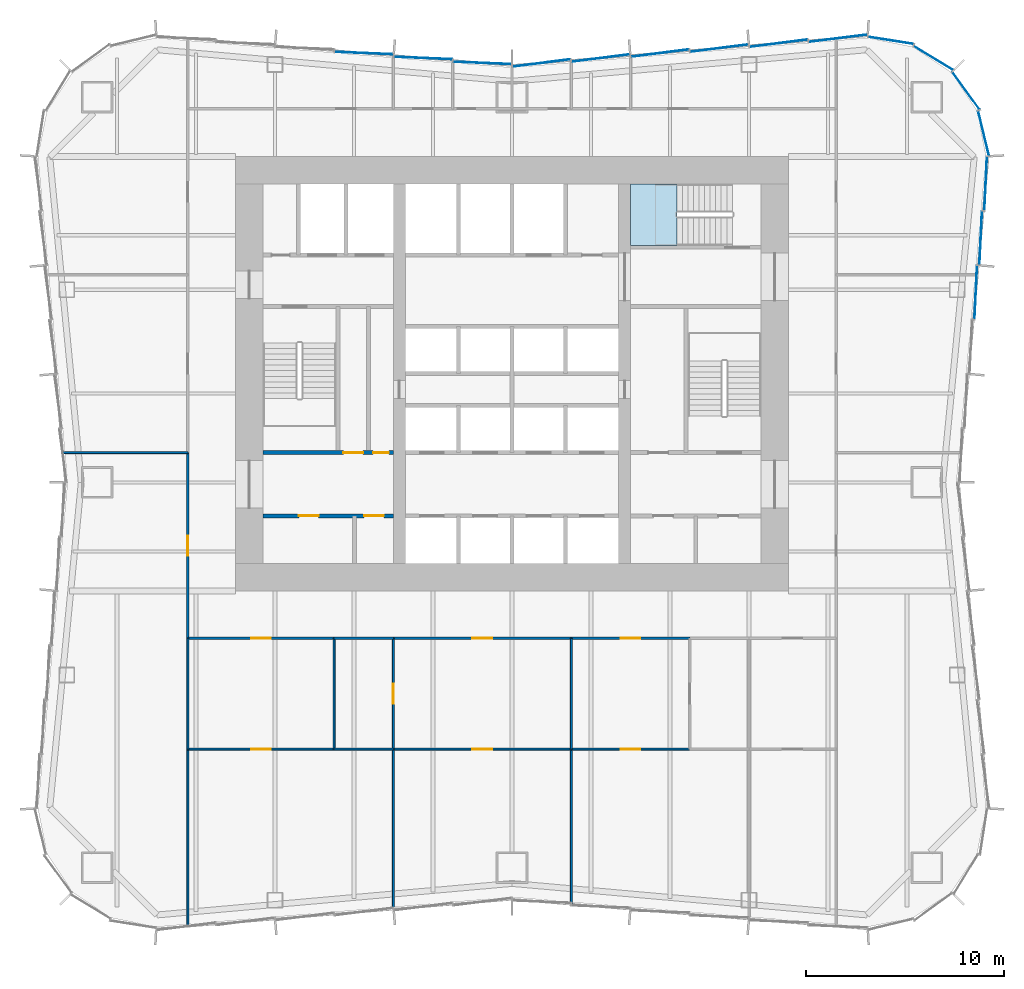
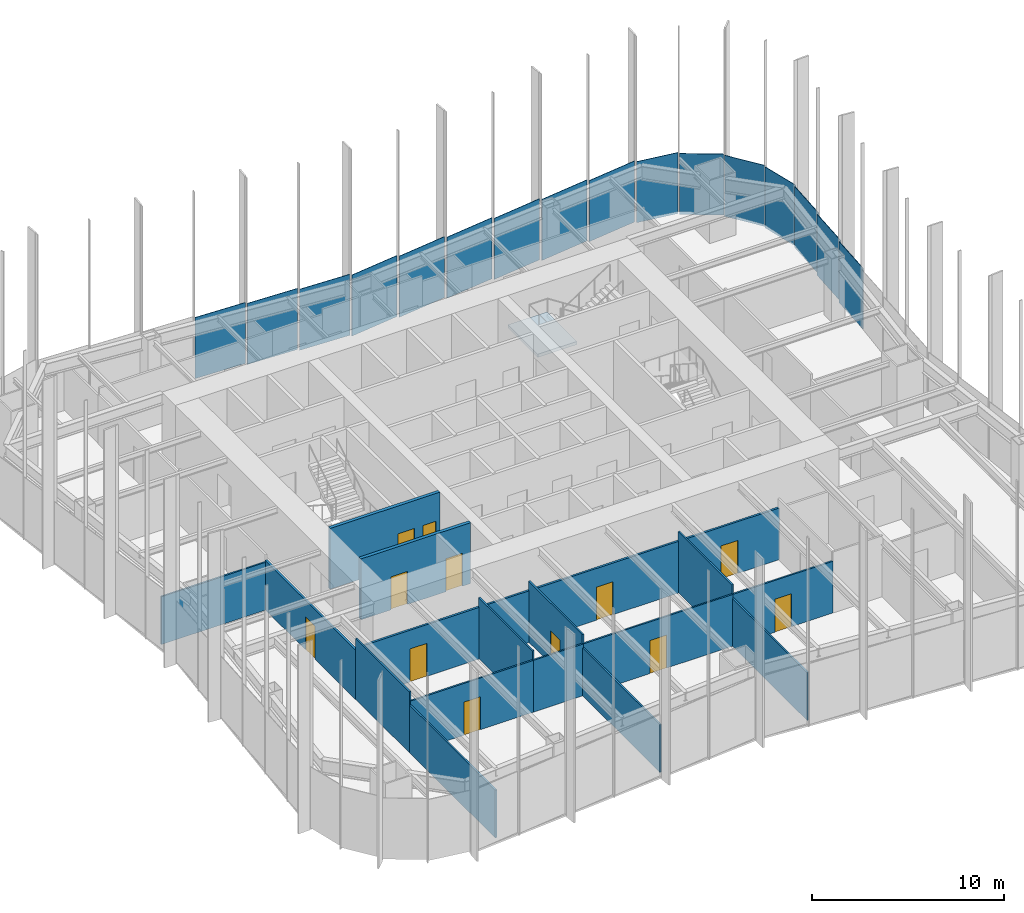
# One storey, part 9 of 13: 19 walls, 16 plates, 12 doors, 1 slab, 12 openings, 4 elements without a shape of their own.
"""IFC4 building model written with IfcOpenShell, lengths in metres."""

from ifc_helpers import new_model, si_unit, direction, frame, frame_2d, origin, origin_2d, place, context, subcontext, project, spatial, polyline, rectangle, outline, extrude, material, layer, layer_set, type_object, element, fill, aggregate, save


model = new_model("IFC4")

# Units and contexts
model_context = context("Model", 3, precision=1e-05, world=origin(), true_north=direction((0.0, 1.0)))
body_context = subcontext(model_context, "Body", "Model", "MODEL_VIEW")
ifc_project = project(units=[si_unit("LENGTHUNIT", "METRE"), si_unit("AREAUNIT", "SQUARE_METRE"), si_unit("VOLUMEUNIT", "CUBIC_METRE"), si_unit("PLANEANGLEUNIT", "RADIAN"), si_unit("MASSUNIT", "GRAM", prefix="KILO")], contexts=[model_context])

# Site, building, storey
site_placement = place(None, origin())
site = spatial("IfcSite", under=ifc_project, at=site_placement, CompositionType="ELEMENT")
building_placement = place(site_placement, origin())
building = spatial("IfcBuilding", under=site, at=building_placement, Name="Verdant Reach Tower", CompositionType="ELEMENT")
storey_placement = place(building_placement, frame((0.0, 0.0, 38.0)))
storey = spatial("IfcBuildingStorey", under=building, at=storey_placement, Name="L08", CompositionType="ELEMENT", Elevation=38.0)

# Stair, slab
ifc_material_1 = material(Name="Concrete C40/50", Category="concrete")
stair_type = type_object("IfcStairType", Name="CO-STAIR", PredefinedType="HALF_TURN_STAIR", material=ifc_material_1)
stair_placement = place(storey_placement, origin())
stair = element("IfcStair", 1, at=stair_placement, inside=storey, type_object=stair_type, Name="L08 Exit stair 3", PredefinedType="HALF_TURN_STAIR")
ifc_layer_1 = layer(ifc_material_1, 0.199951171875)
ifc_layer_set_1 = layer_set([ifc_layer_1], Name="CO-STAIR-LANDING")
slab_type = type_object("IfcSlabType", Name="CO-STAIR-LANDING", PredefinedType="LANDING", material=ifc_layer_set_1)
slab_placement = place(storey_placement, frame((0.0, 0.0, 1.800048828125)))
slab = element("IfcSlab", 2, at=slab_placement, type_object=slab_type, Name="ST-3 landing 1", PredefinedType="LANDING", context=body_context, shape_type="SweptSolid", body=[
    extrude(outline(polyline([(8.35009765625, 37.60009765625), (6.0, 37.60009765625), (6.0, 34.5), (8.35009765625, 34.5), (8.35009765625, 37.60009765625)])), origin(), (0.0, 0.0, 1.0), 0.199951171875),
])
aggregate(stair, [slab])

# Curtain wall, plates
ifc_material_2 = material(Name="Anodised aluminium", Category="aluminium")
curtain_wall_type = type_object("IfcCurtainWallType", Name="EN-CW SYSTEM Z0", PredefinedType="NOTDEFINED", material=ifc_material_2)
curtain_wall_1_placement = place(storey_placement, origin())
curtain_wall_1 = element("IfcCurtainWall", 3, at=curtain_wall_1_placement, inside=storey, type_object=curtain_wall_type, Name="Curtain wall north-east corner, L08", PredefinedType="NOTDEFINED")
ifc_material_3 = material(Name="Tinted glass with champagne spandrel", Category="glass")
ifc_layer_2 = layer(ifc_material_3, 0.031982421875)
ifc_layer_set_2 = layer_set([ifc_layer_2], Name="EN-PANEL CHAMPAGNE")
plate_type_1 = type_object("IfcPlateType", Name="EN-PANEL CHAMPAGNE", PredefinedType="CURTAIN_PANEL", material=ifc_layer_set_2)
plate_1_placement = place(storey_placement, frame((23.86767578125, 40.169921875, -0.22998046875), z_axis=(0.0, 0.0, 1.0), x_axis=(-0.236346786246, 0.97166876899, 0.0)))
plate_1 = element("IfcPlate", 4, at=plate_1_placement, type_object=plate_type_1, Name="Glass panel north-east corner 1.1, L08", PredefinedType="CURTAIN_PANEL", context=body_context, shape_type="SweptSolid", body=[
    extrude(rectangle(XDim=2.31884765625, YDim=0.031982421875, at=origin_2d()), origin(), (0.0, 0.0, 1.0), 3.8798828125),
])
plate_2_placement = place(storey_placement, frame((22.974609375, 42.32373046875, -0.22998046875), z_axis=(0.0, 0.0, 1.0), x_axis=(-0.589926778461, 0.807456745624, 0.0)))
plate_2 = element("IfcPlate", 5, at=plate_2_placement, type_object=plate_type_1, Name="Glass panel north-east corner 2.1, L08", PredefinedType="CURTAIN_PANEL", context=body_context, shape_type="SweptSolid", body=[
    extrude(rectangle(XDim=2.32421875, YDim=0.031982421875, at=origin_2d()), origin(), (0.0, 0.0, 1.0), 3.8798828125),
])

curtain_wall_2_placement = place(storey_placement, origin())
curtain_wall_2 = element("IfcCurtainWall", 6, at=curtain_wall_2_placement, inside=storey, type_object=curtain_wall_type, Name="Curtain wall north, L08", PredefinedType="NOTDEFINED")
plate_3_placement = place(storey_placement, frame((1.495849609375, 43.724853515625, -0.22998046875), z_axis=(0.0, 0.0, 1.0), x_axis=(-0.992179679439, -0.124817802047, 0.0)))
plate_3 = element("IfcPlate", 7, at=plate_3_placement, type_object=plate_type_1, Name="Glass panel north face part 1 6.1, L08", PredefinedType="CURTAIN_PANEL", context=body_context, shape_type="SweptSolid", body=[
    extrude(rectangle(XDim=2.946044921875, YDim=0.031982421875, at=origin_2d()), origin(), (0.0, 0.0, 1.0), 3.8798828125),
])
plate_4_placement = place(storey_placement, frame((-1.495849609375, 43.724853515625, -0.22998046875), z_axis=(0.0, 0.0, 1.0), x_axis=(-0.999144450138, 0.041356592674, 0.0)))
plate_4 = element("IfcPlate", 8, at=plate_4_placement, type_object=plate_type_1, Name="Glass panel north face part 2 1.1, L08", PredefinedType="CURTAIN_PANEL", context=body_context, shape_type="SweptSolid", body=[
    extrude(rectangle(XDim=2.946044921875, YDim=0.031982421875, at=origin_2d()), origin(), (0.0, 0.0, 1.0), 3.8798828125),
])

curtain_wall_3_placement = place(storey_placement, origin())
curtain_wall_3 = element("IfcCurtainWall", 9, at=curtain_wall_3_placement, inside=storey, type_object=curtain_wall_type, Name="Curtain wall east, L08", PredefinedType="NOTDEFINED")
ifc_material_4 = material(Name="Tinted glass with copper spandrel", Category="glass")
ifc_layer_3 = layer(ifc_material_4, 0.031982421875)
ifc_layer_set_3 = layer_set([ifc_layer_3], Name="EN-PANEL COPPER")
plate_type_2 = type_object("IfcPlateType", Name="EN-PANEL COPPER", PredefinedType="CURTAIN_PANEL", material=ifc_layer_set_3)
plate_5_placement = place(storey_placement, frame((23.474609375, 32.115966796875, -0.22998046875), z_axis=(0.0, 0.0, 1.0), x_axis=(0.04875265175, 0.998810882473, 0.0)))
plate_5 = element("IfcPlate", 10, at=plate_5_placement, type_object=plate_type_2, Name="Glass panel east face part 2 4.1, L08", PredefinedType="CURTAIN_PANEL", context=body_context, shape_type="SweptSolid", body=[
    extrude(rectangle(XDim=2.705322265625, YDim=0.031982421875, at=origin_2d()), origin(), (0.0, 0.0, 1.0), 3.8798828125),
])
plate_6_placement = place(storey_placement, frame((23.724609375, 34.865966796875, -0.22998046875), z_axis=(0.0, 0.0, 1.0), x_axis=(0.04875265175, 0.998810882473, 0.0)))
plate_6 = element("IfcPlate", 11, at=plate_6_placement, type_object=plate_type_2, Name="Glass panel east face part 2 5.1, L08", PredefinedType="CURTAIN_PANEL", context=body_context, shape_type="SweptSolid", body=[
    extrude(rectangle(XDim=2.705322265625, YDim=0.031982421875, at=origin_2d()), origin(), (0.0, 0.0, 1.0), 3.8798828125),
])
plate_7_placement = place(storey_placement, frame((23.974609375, 37.623046875, -0.22998046875), z_axis=(0.0, 0.0, 1.0), x_axis=(0.048382779248, 0.998828867561, 0.0)))
plate_7 = element("IfcPlate", 12, at=plate_7_placement, type_object=plate_type_2, Name="Glass panel east face part 2 6.1, L08", PredefinedType="CURTAIN_PANEL", context=body_context, shape_type="SweptSolid", body=[
    extrude(rectangle(XDim=2.7197265625, YDim=0.031982421875, at=origin_2d()), origin(), (0.0, 0.0, 1.0), 3.8798828125),
])
aggregate(curtain_wall_3, [plate_5, plate_6, plate_7])

# Plate
plate_8_placement = place(storey_placement, frame((21.32373046875, 43.974609375, -0.22998046875), z_axis=(0.0, 0.0, 1.0), x_axis=(-0.853988681713, 0.520291583159, 0.0)))
plate_8 = element("IfcPlate", 13, at=plate_8_placement, type_object=plate_type_2, Name="Glass panel north-east corner 3.1, L08", PredefinedType="CURTAIN_PANEL", context=body_context, shape_type="SweptSolid", body=[
    extrude(rectangle(XDim=2.32421875, YDim=0.031982421875, at=origin_2d()), origin(), (0.0, 0.0, 1.0), 3.8798828125),
])

plate_9_placement = place(storey_placement, frame((19.169921875, 44.86767578125, -0.22998046875), z_axis=(0.0, 0.0, 1.0), x_axis=(-0.98803452381, 0.154232875093, 0.0)))
plate_9 = element("IfcPlate", 14, at=plate_9_placement, type_object=plate_type_2, Name="Glass panel north-east corner 4.1, L08", PredefinedType="CURTAIN_PANEL", context=body_context, shape_type="SweptSolid", body=[
    extrude(rectangle(XDim=2.318603515625, YDim=0.031982421875, at=origin_2d()), origin(), (0.0, 0.0, 1.0), 3.8798828125),
])

aggregate(curtain_wall_1, [plate_1, plate_2, plate_8, plate_9])

plate_10_placement = place(storey_placement, frame((16.498779296875, 44.974853515625, -0.22998046875), z_axis=(0.0, 0.0, 1.0), x_axis=(-0.992234176789, -0.124383835008, 0.0)))
plate_10 = element("IfcPlate", 15, at=plate_10_placement, type_object=plate_type_2, Name="Glass panel north face part 1 1.1, L08", PredefinedType="CURTAIN_PANEL", context=body_context, shape_type="SweptSolid", body=[
    extrude(rectangle(XDim=2.96826171875, YDim=0.031982421875, at=origin_2d()), origin(), (0.0, 0.0, 1.0), 3.8798828125),
])

plate_11_placement = place(storey_placement, frame((13.49169921875, 44.724609375, -0.22998046875), z_axis=(0.0, 0.0, 1.0), x_axis=(-0.992194034542, -0.124703639961, 0.0)))
plate_11 = element("IfcPlate", 16, at=plate_11_placement, type_object=plate_type_2, Name="Glass panel north face part 1 2.1, L08", PredefinedType="CURTAIN_PANEL", context=body_context, shape_type="SweptSolid", body=[
    extrude(rectangle(XDim=2.954345703125, YDim=0.031982421875, at=origin_2d()), origin(), (0.0, 0.0, 1.0), 3.8798828125),
])

plate_12_placement = place(storey_placement, frame((-4.49169921875, 43.974609375, -0.22998046875), z_axis=(0.0, 0.0, 1.0), x_axis=(-0.999149202059, 0.041241629766, 0.0)))
plate_12 = element("IfcPlate", 17, at=plate_12_placement, type_object=plate_type_2, Name="Glass panel north face part 2 2.1, L08", PredefinedType="CURTAIN_PANEL", context=body_context, shape_type="SweptSolid", body=[
    extrude(rectangle(XDim=2.954345703125, YDim=0.031982421875, at=origin_2d()), origin(), (0.0, 0.0, 1.0), 3.8798828125),
])

plate_13_placement = place(storey_placement, frame((-7.49169921875, 44.224609375, -0.22998046875), z_axis=(0.0, 0.0, 1.0), x_axis=(-0.999149202059, 0.041241629766, 0.0)))
plate_13 = element("IfcPlate", 18, at=plate_13_placement, type_object=plate_type_2, Name="Glass panel north face part 2 3.1, L08", PredefinedType="CURTAIN_PANEL", context=body_context, shape_type="SweptSolid", body=[
    extrude(rectangle(XDim=2.954345703125, YDim=0.031982421875, at=origin_2d()), origin(), (0.0, 0.0, 1.0), 3.8798828125),
])

ifc_material_5 = material(Name="Tinted glass with dark bronze spandrel", Category="glass")
ifc_layer_4 = layer(ifc_material_5, 0.031982421875)
ifc_layer_set_4 = layer_set([ifc_layer_4], Name="EN-PANEL DARK")
plate_type_3 = type_object("IfcPlateType", Name="EN-PANEL DARK", PredefinedType="CURTAIN_PANEL", material=ifc_layer_set_4)
plate_14_placement = place(storey_placement, frame((10.49169921875, 44.474609375, -0.22998046875), z_axis=(0.0, 0.0, 1.0), x_axis=(-0.992194034542, -0.124703639961, 0.0)))
plate_14 = element("IfcPlate", 19, at=plate_14_placement, type_object=plate_type_3, Name="Glass panel north face part 1 3.1, L08", PredefinedType="CURTAIN_PANEL", context=body_context, shape_type="SweptSolid", body=[
    extrude(rectangle(XDim=2.954345703125, YDim=0.031982421875, at=origin_2d()), origin(), (0.0, 0.0, 1.0), 3.8798828125),
])

plate_15_placement = place(storey_placement, frame((7.49169921875, 44.224609375, -0.22998046875), z_axis=(0.0, 0.0, 1.0), x_axis=(-0.992194034542, -0.124703639961, 0.0)))
plate_15 = element("IfcPlate", 20, at=plate_15_placement, type_object=plate_type_3, Name="Glass panel north face part 1 4.1, L08", PredefinedType="CURTAIN_PANEL", context=body_context, shape_type="SweptSolid", body=[
    extrude(rectangle(XDim=2.954345703125, YDim=0.031982421875, at=origin_2d()), origin(), (0.0, 0.0, 1.0), 3.8798828125),
])

plate_16_placement = place(storey_placement, frame((4.49169921875, 43.974609375, -0.22998046875), z_axis=(0.0, 0.0, 1.0), x_axis=(-0.992194034542, -0.124703639961, 0.0)))
plate_16 = element("IfcPlate", 21, at=plate_16_placement, type_object=plate_type_3, Name="Glass panel north face part 1 5.1, L08", PredefinedType="CURTAIN_PANEL", context=body_context, shape_type="SweptSolid", body=[
    extrude(rectangle(XDim=2.954345703125, YDim=0.031982421875, at=origin_2d()), origin(), (0.0, 0.0, 1.0), 3.8798828125),
])

aggregate(curtain_wall_2, [plate_10, plate_11, plate_14, plate_15, plate_16, plate_3, plate_4, plate_12, plate_13])

# Wall, openings, doors
ifc_material_6 = material(Name="Gypsum board on steel studs", Category="steel")
ifc_layer_5 = layer(ifc_material_6, 0.199951171875)
ifc_layer_set_5 = layer_set([ifc_layer_5], Name="CO-WALL-ROOM")
wall_type_1 = type_object("IfcWallType", Name="CO-WALL-ROOM", PredefinedType="PARTITIONING", material=ifc_layer_set_5)
wall_1_placement = place(storey_placement, frame((-12.60009765625, 20.800048828125, 0.0), z_axis=(0.0, 0.0, 1.0), x_axis=(1.0, 0.0, 0.0)))
wall_1 = element("IfcWall", 22, at=wall_1_placement, inside=storey, type_object=wall_type_1, Name="Core partition, L08", PredefinedType="PARTITIONING", context=body_context, shape_type="SweptSolid", body=[
    extrude(rectangle(XDim=6.60009765625, YDim=0.199951171875, at=frame_2d((3.300048828125, 0.0))), origin(), (0.0, 0.0, 1.0), 3.8701171875),
])
opening_1_placement = place(wall_1_placement, frame((1.81005859375, 0.0, 0.0)))
opening_1 = element("IfcOpeningElement", 23, at=opening_1_placement, cuts=wall_1, Name="Opening CD", PredefinedType="OPENING", context=body_context, shape_type="SweptSolid", body=[
    extrude(rectangle(XDim=1.0, YDim=2.10009765625, at=frame_2d((0.5, 1.050048828125))), frame((0.0, 0.10986328125, 0.0), z_axis=(0.0, -1.0, 0.0), x_axis=(1.0, 0.0, 0.0)), (0.0, 0.0, 1.0), 0.219970703125),
])
opening_2_placement = place(wall_1_placement, frame((5.110107421875, 0.0, 0.0)))
opening_2 = element("IfcOpeningElement", 24, at=opening_2_placement, cuts=wall_1, Name="Opening CD", PredefinedType="OPENING", context=body_context, shape_type="SweptSolid", body=[
    extrude(rectangle(XDim=1.0, YDim=2.10009765625, at=frame_2d((0.5, 1.050048828125))), frame((0.0, 0.10986328125, 0.0), z_axis=(0.0, -1.0, 0.0), x_axis=(1.0, 0.0, 0.0)), (0.0, 0.0, 1.0), 0.219970703125),
])
ifc_material_7 = material(Name="Timber", Category="wood")
door_type_1 = type_object("IfcDoorType", Name="CO-DOOR-ROOM", OperationType="NOTDEFINED", PredefinedType="DOOR", material=ifc_material_7)
door_1_placement = place(opening_1_placement, origin())
door_1 = element("IfcDoor", 25, at=door_1_placement, inside=storey, type_object=door_type_1, Name="Core room door, L08", OperationType="SINGLE_SWING_LEFT", OverallHeight=2.10009765625, OverallWidth=1.0, PredefinedType="DOOR", context=body_context, shape_type="SweptSolid", body=[
    extrude(rectangle(XDim=1.0, YDim=2.10009765625, at=frame_2d((0.5, 1.050048828125))), frame((0.0, 0.02490234375, 0.0), z_axis=(0.0, -1.0, 0.0), x_axis=(1.0, 0.0, 0.0)), (0.0, 0.0, 1.0), 0.050048828125),
])
fill(opening_1, door_1)
door_2_placement = place(opening_2_placement, origin())
door_2 = element("IfcDoor", 26, at=door_2_placement, inside=storey, type_object=door_type_1, Name="Core room door, L08", OperationType="SINGLE_SWING_LEFT", OverallHeight=2.10009765625, OverallWidth=1.0, PredefinedType="DOOR", context=body_context, shape_type="SweptSolid", body=[
    extrude(rectangle(XDim=1.0, YDim=2.10009765625, at=frame_2d((0.5, 1.050048828125))), frame((0.0, 0.02490234375, 0.0), z_axis=(0.0, -1.0, 0.0), x_axis=(1.0, 0.0, 0.0)), (0.0, 0.0, 1.0), 0.050048828125),
])
fill(opening_2, door_2)

ifc_layer_6 = layer(ifc_material_1, 0.199951171875)
ifc_layer_set_6 = layer_set([ifc_layer_6], Name="CO-WALL-STAIR")
wall_type_2 = type_object("IfcWallType", Name="CO-WALL-STAIR", PredefinedType="PARTITIONING", material=ifc_layer_set_6)
wall_2_placement = place(storey_placement, frame((-12.60009765625, 24.0, 0.0), z_axis=(0.0, 0.0, 1.0), x_axis=(1.0, 0.0, 0.0)))
wall_2 = element("IfcWall", 27, at=wall_2_placement, inside=storey, type_object=wall_type_2, Name="Stair enclosure wall, L08", PredefinedType="PARTITIONING", context=body_context, shape_type="SweptSolid", body=[
    extrude(rectangle(XDim=6.60009765625, YDim=0.199951171875, at=frame_2d((3.300048828125, 0.0))), origin(), (0.0, 0.0, 1.0), 3.8701171875),
])
opening_3_placement = place(wall_2_placement, frame((4.070068359375, 0.0, 0.0)))
opening_3 = element("IfcOpeningElement", 28, at=opening_3_placement, cuts=wall_2, Name="Opening CD", PredefinedType="OPENING", context=body_context, shape_type="SweptSolid", body=[
    extrude(rectangle(XDim=1.0, YDim=2.10009765625, at=frame_2d((0.5, 1.050048828125))), frame((0.0, 0.10986328125, 0.0), z_axis=(0.0, -1.0, 0.0), x_axis=(1.0, 0.0, 0.0)), (0.0, 0.0, 1.0), 0.219970703125),
])
opening_4_placement = place(wall_2_placement, frame((5.570068359375, 0.0, 0.0)))
opening_4 = element("IfcOpeningElement", 29, at=opening_4_placement, cuts=wall_2, Name="Opening CDN", PredefinedType="OPENING", context=body_context, shape_type="SweptSolid", body=[
    extrude(rectangle(XDim=0.800048828125, YDim=2.10009765625, at=frame_2d((0.39990234375, 1.050048828125))), frame((0.0, 0.10986328125, 0.0), z_axis=(0.0, -1.0, 0.0), x_axis=(1.0, 0.0, 0.0)), (0.0, 0.0, 1.0), 0.219970703125),
])
door_3_placement = place(opening_3_placement, origin())
door_3 = element("IfcDoor", 30, at=door_3_placement, inside=storey, type_object=door_type_1, Name="Core room door, L08", OperationType="SINGLE_SWING_RIGHT", OverallHeight=2.10009765625, OverallWidth=1.0, PredefinedType="DOOR", context=body_context, shape_type="SweptSolid", body=[
    extrude(rectangle(XDim=1.0, YDim=2.10009765625, at=frame_2d((0.5, 1.050048828125))), frame((0.0, 0.02490234375, 0.0), z_axis=(0.0, -1.0, 0.0), x_axis=(1.0, 0.0, 0.0)), (0.0, 0.0, 1.0), 0.050048828125),
])
fill(opening_3, door_3)
door_type_2 = type_object("IfcDoorType", Name="CO-DOOR-ROOM-NARROW", OperationType="NOTDEFINED", PredefinedType="DOOR", material=ifc_material_7)
door_4_placement = place(opening_4_placement, origin())
door_4 = element("IfcDoor", 31, at=door_4_placement, inside=storey, type_object=door_type_2, Name="Core room door, L08", OperationType="SINGLE_SWING_LEFT", OverallHeight=2.10009765625, OverallWidth=0.800048828125, PredefinedType="DOOR", context=body_context, shape_type="SweptSolid", body=[
    extrude(rectangle(XDim=0.800048828125, YDim=2.10009765625, at=frame_2d((0.39990234375, 1.050048828125))), frame((0.0, 0.02490234375, 0.0), z_axis=(0.0, -1.0, 0.0), x_axis=(1.0, 0.0, 0.0)), (0.0, 0.0, 1.0), 0.050048828125),
])
fill(opening_4, door_4)

# Wall
ifc_layer_7 = layer(ifc_material_6, 0.10009765625)
ifc_layer_set_7 = layer_set([ifc_layer_7], Name="FL-W1 Partition 100")
wall_type_3 = type_object("IfcWallType", Name="FL-W1 Partition 100", PredefinedType="PARTITIONING", material=ifc_layer_set_7)
wall_3_placement = place(storey_placement, frame((-9.0, 9.0, 0.0), z_axis=(0.0, 0.0, 1.0), x_axis=(0.0, 1.0, 0.0)))
element("IfcWall", 32, at=wall_3_placement, inside=storey, type_object=wall_type_3, Name="Partition 08.19", PredefinedType="PARTITIONING", context=body_context, shape_type="SweptSolid", body=[
    extrude(rectangle(XDim=5.60009765625, YDim=0.10009765625, at=frame_2d((2.800048828125, 0.0))), origin(), (0.0, 0.0, 1.0), 3.8701171875),
])

# Wall, opening, door
wall_4_placement = place(storey_placement, frame((-8.99609375, 9.0, 0.0), z_axis=(0.0, 0.0, 1.0), x_axis=(-1.0, 0.0, 0.0)))
wall_4 = element("IfcWall", 33, at=wall_4_placement, inside=storey, type_object=wall_type_3, Name="Partition 08.20", PredefinedType="PARTITIONING", context=body_context, shape_type="SweptSolid", body=[
    extrude(rectangle(XDim=7.40380859375, YDim=0.10009765625, at=frame_2d((3.701904296875, 0.0))), origin(), (0.0, 0.0, 1.0), 3.2900390625),
])
opening_5_placement = place(wall_4_placement, frame((3.201904296875, 0.0, 0.0)))
opening_5 = element("IfcOpeningElement", 34, at=opening_5_placement, cuts=wall_4, Name="Opening D3", PredefinedType="OPENING", context=body_context, shape_type="SweptSolid", body=[
    extrude(rectangle(XDim=1.0, YDim=2.10009765625, at=frame_2d((0.5, 1.050048828125))), frame((0.0, 0.06005859375, 0.0), z_axis=(0.0, -1.0, 0.0), x_axis=(1.0, 0.0, 0.0)), (0.0, 0.0, 1.0), 0.1201171875),
])
ifc_material_8 = material(Name="Painted timber door leaf", Category="wood")
door_type_3 = type_object("IfcDoorType", Name="FL-D3 Door 1000x2100", OperationType="NOTDEFINED", PredefinedType="DOOR", material=ifc_material_8)
door_5_placement = place(opening_5_placement, origin())
door_5 = element("IfcDoor", 35, at=door_5_placement, inside=storey, type_object=door_type_3, Name="Door 08-017", OperationType="SINGLE_SWING_LEFT", OverallHeight=2.10009765625, OverallWidth=1.0, PredefinedType="DOOR", context=body_context, shape_type="SweptSolid", body=[
    extrude(rectangle(XDim=1.0, YDim=2.10009765625, at=frame_2d((0.5, 1.050048828125))), frame((0.0, 0.02490234375, 0.0), z_axis=(0.0, -1.0, 0.0), x_axis=(1.0, 0.0, 0.0)), (0.0, 0.0, 1.0), 0.050048828125),
])
fill(opening_5, door_5)

# Wall
wall_5_placement = place(storey_placement, frame((-16.39990234375, 14.60400390625, 0.0), z_axis=(0.0, 0.0, 1.0), x_axis=(0.0, -1.0, 0.0)))
element("IfcWall", 36, at=wall_5_placement, inside=storey, type_object=wall_type_3, Name="Partition 08.21", PredefinedType="PARTITIONING", context=body_context, shape_type="SweptSolid", body=[
    extrude(rectangle(XDim=5.60791015625, YDim=0.10009765625, at=frame_2d((2.803955078125, 0.0))), origin(), (0.0, 0.0, 1.0), 3.8701171875),
])

# Wall, opening, door
wall_6_placement = place(storey_placement, frame((-6.0, 9.0, 0.0), z_axis=(0.0, 0.0, 1.0), x_axis=(0.0, 1.0, 0.0)))
wall_6 = element("IfcWall", 37, at=wall_6_placement, inside=storey, type_object=wall_type_3, Name="Partition 08.22", PredefinedType="PARTITIONING", context=body_context, shape_type="SweptSolid", body=[
    extrude(rectangle(XDim=5.60009765625, YDim=0.10009765625, at=frame_2d((2.800048828125, 0.0))), origin(), (0.0, 0.0, 1.0), 3.8701171875),
])
opening_6_placement = place(wall_6_placement, frame((2.300048828125, 0.0, 0.0)))
opening_6 = element("IfcOpeningElement", 38, at=opening_6_placement, cuts=wall_6, Name="Opening D3", PredefinedType="OPENING", context=body_context, shape_type="SweptSolid", body=[
    extrude(rectangle(XDim=1.0, YDim=2.10009765625, at=frame_2d((0.5, 1.050048828125))), frame((0.0, 0.06005859375, 0.0), z_axis=(0.0, -1.0, 0.0), x_axis=(1.0, 0.0, 0.0)), (0.0, 0.0, 1.0), 0.1201171875),
])
door_6_placement = place(opening_6_placement, origin())
door_6 = element("IfcDoor", 39, at=door_6_placement, inside=storey, type_object=door_type_3, Name="Door 08-018", OperationType="SINGLE_SWING_RIGHT", OverallHeight=2.10009765625, OverallWidth=1.0, PredefinedType="DOOR", context=body_context, shape_type="SweptSolid", body=[
    extrude(rectangle(XDim=1.0, YDim=2.10009765625, at=frame_2d((0.5, 1.050048828125))), frame((0.0, 0.02490234375, 0.0), z_axis=(0.0, -1.0, 0.0), x_axis=(1.0, 0.0, 0.0)), (0.0, 0.0, 1.0), 0.050048828125),
])
fill(opening_6, door_6)

# Wall
wall_7_placement = place(storey_placement, frame((-9.00390625, 9.0, 0.0), z_axis=(0.0, 0.0, 1.0), x_axis=(1.0, 0.0, 0.0)))
element("IfcWall", 40, at=wall_7_placement, inside=storey, type_object=wall_type_3, Name="Partition 08.23", PredefinedType="PARTITIONING", context=body_context, shape_type="SweptSolid", body=[
    extrude(rectangle(XDim=3.00390625, YDim=0.10009765625, at=frame_2d((1.501953125, 0.0))), origin(), (0.0, 0.0, 1.0), 3.2900390625),
])

# Wall, opening, door
wall_8_placement = place(storey_placement, frame((3.0, 9.0, 0.0), z_axis=(0.0, 0.0, 1.0), x_axis=(-1.0, 0.0, 0.0)))
wall_8 = element("IfcWall", 41, at=wall_8_placement, inside=storey, type_object=wall_type_3, Name="Partition 08.24", PredefinedType="PARTITIONING", context=body_context, shape_type="SweptSolid", body=[
    extrude(rectangle(XDim=9.0, YDim=0.10009765625, at=frame_2d((4.5, 0.0))), origin(), (0.0, 0.0, 1.0), 3.2900390625),
])
opening_7_placement = place(wall_8_placement, frame((4.0, 0.0, 0.0)))
opening_7 = element("IfcOpeningElement", 42, at=opening_7_placement, cuts=wall_8, Name="Opening D3", PredefinedType="OPENING", context=body_context, shape_type="SweptSolid", body=[
    extrude(rectangle(XDim=1.0, YDim=2.10009765625, at=frame_2d((0.5, 1.050048828125))), frame((0.0, 0.06005859375, 0.0), z_axis=(0.0, -1.0, 0.0), x_axis=(1.0, 0.0, 0.0)), (0.0, 0.0, 1.0), 0.1201171875),
])
door_7_placement = place(opening_7_placement, origin())
door_7 = element("IfcDoor", 43, at=door_7_placement, inside=storey, type_object=door_type_3, Name="Door 08-019", OperationType="SINGLE_SWING_LEFT", OverallHeight=2.10009765625, OverallWidth=1.0, PredefinedType="DOOR", context=body_context, shape_type="SweptSolid", body=[
    extrude(rectangle(XDim=1.0, YDim=2.10009765625, at=frame_2d((0.5, 1.050048828125))), frame((0.0, 0.02490234375, 0.0), z_axis=(0.0, -1.0, 0.0), x_axis=(1.0, 0.0, 0.0)), (0.0, 0.0, 1.0), 0.050048828125),
])
fill(opening_7, door_7)

# Walls
wall_9_placement = place(storey_placement, frame((3.0, 9.0, 0.0), z_axis=(0.0, 0.0, 1.0), x_axis=(0.0, 1.0, 0.0)))
element("IfcWall", 44, at=wall_9_placement, inside=storey, type_object=wall_type_3, Name="Partition 08.25", PredefinedType="PARTITIONING", context=body_context, shape_type="SweptSolid", body=[
    extrude(rectangle(XDim=5.60009765625, YDim=0.10009765625, at=frame_2d((2.800048828125, 0.0))), origin(), (0.0, 0.0, 1.0), 3.8701171875),
])
wall_10_placement = place(storey_placement, frame((-6.0, 0.919921875, 0.0), z_axis=(0.0, 0.0, 1.0), x_axis=(0.0, 1.0, 0.0)))
element("IfcWall", 45, at=wall_10_placement, inside=storey, type_object=wall_type_3, Name="Partition 08.26", PredefinedType="PARTITIONING", context=body_context, shape_type="SweptSolid", body=[
    extrude(rectangle(XDim=8.080078125, YDim=0.10009765625, at=frame_2d((4.0400390625, 0.0))), origin(), (0.0, 0.0, 1.0), 3.0400390625),
])
wall_11_placement = place(storey_placement, frame((-16.39990234375, 9.00390625, 0.0), z_axis=(0.0, 0.0, 1.0), x_axis=(0.0, -1.0, 0.0)))
element("IfcWall", 46, at=wall_11_placement, inside=storey, type_object=wall_type_3, Name="Partition 08.27", PredefinedType="PARTITIONING", context=body_context, shape_type="SweptSolid", body=[
    extrude(rectangle(XDim=8.95068359375, YDim=0.10009765625, at=frame_2d((4.475341796875, 0.0))), origin(), (0.0, 0.0, 1.0), 3.0400390625),
])
wall_12_placement = place(storey_placement, frame((3.0, 1.169921875, 0.0), z_axis=(0.0, 0.0, 1.0), x_axis=(0.0, 1.0, 0.0)))
element("IfcWall", 47, at=wall_12_placement, inside=storey, type_object=wall_type_3, Name="Partition 08.28", PredefinedType="PARTITIONING", context=body_context, shape_type="SweptSolid", body=[
    extrude(rectangle(XDim=7.830078125, YDim=0.10009765625, at=frame_2d((3.9150390625, 0.0))), origin(), (0.0, 0.0, 1.0), 3.0400390625),
])

# Wall, opening, door
wall_13_placement = place(storey_placement, frame((9.00390625, 9.0, 0.0), z_axis=(0.0, 0.0, 1.0), x_axis=(-1.0, 0.0, 0.0)))
wall_13 = element("IfcWall", 48, at=wall_13_placement, inside=storey, type_object=wall_type_3, Name="Partition 08.30", PredefinedType="PARTITIONING", context=body_context, shape_type="SweptSolid", body=[
    extrude(rectangle(XDim=6.00390625, YDim=0.10009765625, at=frame_2d((3.001953125, 0.0))), origin(), (0.0, 0.0, 1.0), 3.2900390625),
])
opening_8_placement = place(wall_13_placement, frame((2.501953125, 0.0, 0.0)))
opening_8 = element("IfcOpeningElement", 49, at=opening_8_placement, cuts=wall_13, Name="Opening D3", PredefinedType="OPENING", context=body_context, shape_type="SweptSolid", body=[
    extrude(rectangle(XDim=1.0, YDim=2.10009765625, at=frame_2d((0.5, 1.050048828125))), frame((0.0, 0.06005859375, 0.0), z_axis=(0.0, -1.0, 0.0), x_axis=(1.0, 0.0, 0.0)), (0.0, 0.0, 1.0), 0.1201171875),
])
door_8_placement = place(opening_8_placement, origin())
door_8 = element("IfcDoor", 50, at=door_8_placement, inside=storey, type_object=door_type_3, Name="Door 08-021", OperationType="SINGLE_SWING_LEFT", OverallHeight=2.10009765625, OverallWidth=1.0, PredefinedType="DOOR", context=body_context, shape_type="SweptSolid", body=[
    extrude(rectangle(XDim=1.0, YDim=2.10009765625, at=frame_2d((0.5, 1.050048828125))), frame((0.0, 0.02490234375, 0.0), z_axis=(0.0, -1.0, 0.0), x_axis=(1.0, 0.0, 0.0)), (0.0, 0.0, 1.0), 0.050048828125),
])
fill(opening_8, door_8)

# Wall
wall_14_placement = place(storey_placement, frame((-16.39990234375, 24.0, 0.0), z_axis=(0.0, 0.0, 1.0), x_axis=(-1.0, 0.0, 0.0)))
element("IfcWall", 51, at=wall_14_placement, inside=storey, type_object=wall_type_3, Name="Partition 08.44", PredefinedType="PARTITIONING", context=body_context, shape_type="SweptSolid", body=[
    extrude(rectangle(XDim=6.31640625, YDim=0.10009765625, at=frame_2d((3.158203125, 0.0))), origin(), (0.0, 0.0, 1.0), 3.0400390625),
])

# Wall, opening, door
ifc_material_9 = material(Name="Gypsum board on steel studs, fire rated", Category="steel")
ifc_layer_8 = layer(ifc_material_9, 0.125)
ifc_layer_set_8 = layer_set([ifc_layer_8], Name="FL-W2 Corridor wall 125")
wall_type_4 = type_object("IfcWallType", Name="FL-W2 Corridor wall 125", PredefinedType="PARTITIONING", material=ifc_layer_set_8)
wall_15_placement = place(storey_placement, frame((-9.0, 14.60009765625, 0.0), z_axis=(0.0, 0.0, 1.0), x_axis=(-1.0, 0.0, 0.0)))
wall_15 = element("IfcWall", 52, at=wall_15_placement, inside=storey, type_object=wall_type_4, Name="Partition 08.01", PredefinedType="PARTITIONING", context=body_context, shape_type="SweptSolid", body=[
    extrude(rectangle(XDim=7.39990234375, YDim=0.125, at=frame_2d((3.699951171875, 0.0))), origin(), (0.0, 0.0, 1.0), 3.2900390625),
])
opening_9_placement = place(wall_15_placement, frame((3.199951171875, 0.0, 0.0)))
opening_9 = element("IfcOpeningElement", 53, at=opening_9_placement, cuts=wall_15, Name="Opening D2", PredefinedType="OPENING", context=body_context, shape_type="SweptSolid", body=[
    extrude(rectangle(XDim=1.0, YDim=2.10009765625, at=frame_2d((0.5, 1.050048828125))), frame((0.0, 0.072509765625, 0.0), z_axis=(0.0, -1.0, 0.0), x_axis=(1.0, 0.0, 0.0)), (0.0, 0.0, 1.0), 0.14501953125),
])
ifc_material_10 = material(Name="Timber door leaf, fire rated", Category="wood")
door_type_4 = type_object("IfcDoorType", Name="FL-D2 Entrance door 1000x2100 FD30", OperationType="NOTDEFINED", PredefinedType="DOOR", material=ifc_material_10)
door_9_placement = place(opening_9_placement, origin())
door_9 = element("IfcDoor", 54, at=door_9_placement, inside=storey, type_object=door_type_4, Name="Door 08-001", OperationType="SINGLE_SWING_LEFT", OverallHeight=2.10009765625, OverallWidth=1.0, PredefinedType="DOOR", context=body_context, shape_type="SweptSolid", body=[
    extrude(rectangle(XDim=1.0, YDim=2.10009765625, at=frame_2d((0.5, 1.050048828125))), frame((0.0, 0.02490234375, 0.0), z_axis=(0.0, -1.0, 0.0), x_axis=(1.0, 0.0, 0.0)), (0.0, 0.0, 1.0), 0.050048828125),
])
fill(opening_9, door_9)

# Wall
wall_16_placement = place(storey_placement, frame((-9.0, 14.60009765625, 0.0), z_axis=(0.0, 0.0, 1.0), x_axis=(1.0, 0.0, 0.0)))
element("IfcWall", 55, at=wall_16_placement, inside=storey, type_object=wall_type_4, Name="Partition 08.02", PredefinedType="PARTITIONING", context=body_context, shape_type="SweptSolid", body=[
    extrude(rectangle(XDim=3.0, YDim=0.125, at=frame_2d((1.5, 0.0))), origin(), (0.0, 0.0, 1.0), 3.2900390625),
])

# Wall, opening, door
wall_17_placement = place(storey_placement, frame((3.0, 14.60009765625, 0.0), z_axis=(0.0, 0.0, 1.0), x_axis=(-1.0, 0.0, 0.0)))
wall_17 = element("IfcWall", 56, at=wall_17_placement, inside=storey, type_object=wall_type_4, Name="Partition 08.03", PredefinedType="PARTITIONING", context=body_context, shape_type="SweptSolid", body=[
    extrude(rectangle(XDim=9.0, YDim=0.125, at=frame_2d((4.5, 0.0))), origin(), (0.0, 0.0, 1.0), 3.2900390625),
])
opening_10_placement = place(wall_17_placement, frame((4.0, 0.0, 0.0)))
opening_10 = element("IfcOpeningElement", 57, at=opening_10_placement, cuts=wall_17, Name="Opening D2", PredefinedType="OPENING", context=body_context, shape_type="SweptSolid", body=[
    extrude(rectangle(XDim=1.0, YDim=2.10009765625, at=frame_2d((0.5, 1.050048828125))), frame((0.0, 0.072509765625, 0.0), z_axis=(0.0, -1.0, 0.0), x_axis=(1.0, 0.0, 0.0)), (0.0, 0.0, 1.0), 0.14501953125),
])
door_10_placement = place(opening_10_placement, origin())
door_10 = element("IfcDoor", 58, at=door_10_placement, inside=storey, type_object=door_type_4, Name="Door 08-002", OperationType="SINGLE_SWING_RIGHT", OverallHeight=2.10009765625, OverallWidth=1.0, PredefinedType="DOOR", context=body_context, shape_type="SweptSolid", body=[
    extrude(rectangle(XDim=1.0, YDim=2.10009765625, at=frame_2d((0.5, 1.050048828125))), frame((0.0, 0.02490234375, 0.0), z_axis=(0.0, -1.0, 0.0), x_axis=(1.0, 0.0, 0.0)), (0.0, 0.0, 1.0), 0.050048828125),
])
fill(opening_10, door_10)

wall_18_placement = place(storey_placement, frame((9.0, 14.60009765625, 0.0), z_axis=(0.0, 0.0, 1.0), x_axis=(-1.0, 0.0, 0.0)))
wall_18 = element("IfcWall", 59, at=wall_18_placement, inside=storey, type_object=wall_type_4, Name="Partition 08.04", PredefinedType="PARTITIONING", context=body_context, shape_type="SweptSolid", body=[
    extrude(rectangle(XDim=6.0, YDim=0.125, at=frame_2d((3.0, 0.0))), origin(), (0.0, 0.0, 1.0), 3.2900390625),
])
opening_11_placement = place(wall_18_placement, frame((2.5, 0.0, 0.0)))
opening_11 = element("IfcOpeningElement", 60, at=opening_11_placement, cuts=wall_18, Name="Opening D2", PredefinedType="OPENING", context=body_context, shape_type="SweptSolid", body=[
    extrude(rectangle(XDim=1.0, YDim=2.10009765625, at=frame_2d((0.5, 1.050048828125))), frame((0.0, 0.072509765625, 0.0), z_axis=(0.0, -1.0, 0.0), x_axis=(1.0, 0.0, 0.0)), (0.0, 0.0, 1.0), 0.14501953125),
])
door_11_placement = place(opening_11_placement, origin())
door_11 = element("IfcDoor", 61, at=door_11_placement, inside=storey, type_object=door_type_4, Name="Door 08-003", OperationType="SINGLE_SWING_LEFT", OverallHeight=2.10009765625, OverallWidth=1.0, PredefinedType="DOOR", context=body_context, shape_type="SweptSolid", body=[
    extrude(rectangle(XDim=1.0, YDim=2.10009765625, at=frame_2d((0.5, 1.050048828125))), frame((0.0, 0.02490234375, 0.0), z_axis=(0.0, -1.0, 0.0), x_axis=(1.0, 0.0, 0.0)), (0.0, 0.0, 1.0), 0.050048828125),
])
fill(opening_11, door_11)

wall_19_placement = place(storey_placement, frame((-16.39990234375, 14.595947265625, 0.0), z_axis=(0.0, 0.0, 1.0), x_axis=(0.0, 1.0, 0.0)))
wall_19 = element("IfcWall", 62, at=wall_19_placement, inside=storey, type_object=wall_type_4, Name="Partition 08.13", PredefinedType="PARTITIONING", context=body_context, shape_type="SweptSolid", body=[
    extrude(rectangle(XDim=9.404052734375, YDim=0.125, at=frame_2d((4.7021484375, 0.0))), origin(), (0.0, 0.0, 1.0), 3.139892578125),
])
opening_12_placement = place(wall_19_placement, frame((4.201904296875, 0.0, 0.0)))
opening_12 = element("IfcOpeningElement", 63, at=opening_12_placement, cuts=wall_19, Name="Opening D2", PredefinedType="OPENING", context=body_context, shape_type="SweptSolid", body=[
    extrude(rectangle(XDim=1.0, YDim=2.10009765625, at=frame_2d((0.5, 1.050048828125))), frame((0.0, 0.072509765625, 0.0), z_axis=(0.0, -1.0, 0.0), x_axis=(1.0, 0.0, 0.0)), (0.0, 0.0, 1.0), 0.14501953125),
])
door_12_placement = place(opening_12_placement, origin())
door_12 = element("IfcDoor", 64, at=door_12_placement, inside=storey, type_object=door_type_4, Name="Door 08-011", OperationType="SINGLE_SWING_LEFT", OverallHeight=2.10009765625, OverallWidth=1.0, PredefinedType="DOOR", context=body_context, shape_type="SweptSolid", body=[
    extrude(rectangle(XDim=1.0, YDim=2.10009765625, at=frame_2d((0.5, 1.050048828125))), frame((0.0, 0.02490234375, 0.0), z_axis=(0.0, -1.0, 0.0), x_axis=(1.0, 0.0, 0.0)), (0.0, 0.0, 1.0), 0.050048828125),
])
fill(opening_12, door_12)

save(model, "model.ifc")
